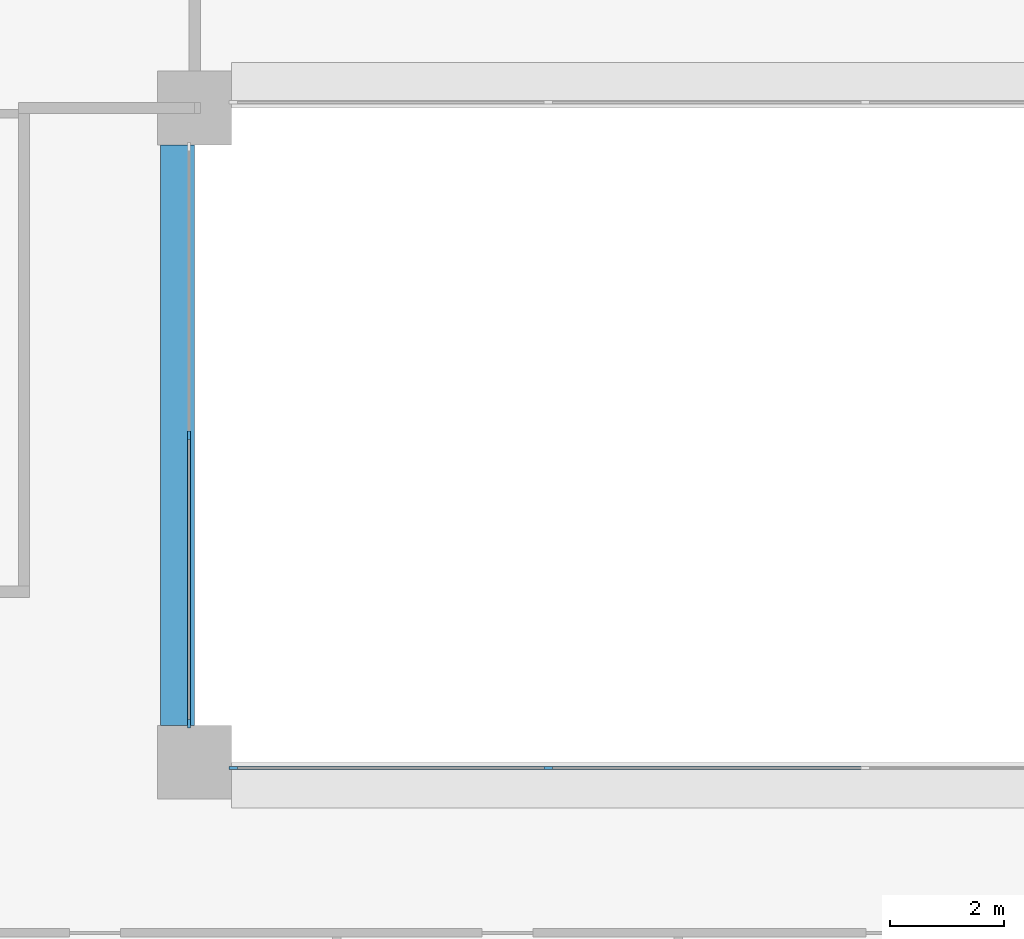
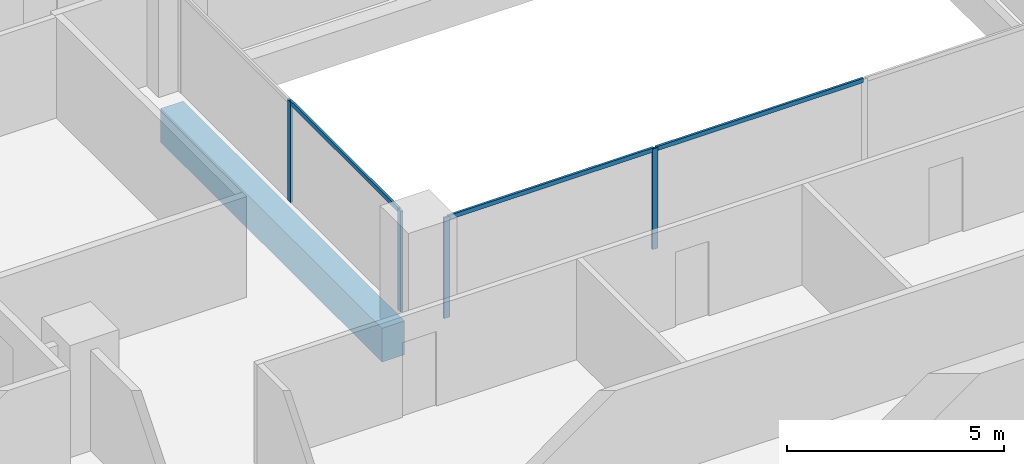
# One storey, part 2 of 16: 7 members, 1 beam, 2 elements without a shape of their own.
"""IFC4 building model written with IfcOpenShell, lengths in metres."""

import ifcopenshell
import ifcopenshell.guid

model = None  # the IFC model being written
_history = None  # IfcOwnerHistory: only IFC2X3 demands one
_inside = {}  # id of a spatial element -> (the spatial element, [elements in it])
_under = {}  # id of a project, library or spatial element -> (it, [spatial elements below it])
_declared = {}  # id of a project -> (the project, [libraries it declares])
_typed = {}  # id of a type object -> (the type object, [elements of that type])
_made_of = {}  # id of a material, layer set ... -> (it, [elements and type objects made of it])


def new_model(schema):
    """Start an empty IFC model of exactly this schema.

    Asked for "IFC4X3", IfcOpenShell would pick the latest addendum, in which some entities
    have other attributes; the version numbers below select the first issue.
    IFC2X3 requires an IfcOwnerHistory on every rooted entity: one is made here for all.
    """
    global model, _history
    if schema == "IFC4X3":
        model = ifcopenshell.file(schema_version=(4, 3, 0, 0))
    else:
        model = ifcopenshell.file(schema=schema)
    _inside.clear()
    _under.clear()
    _declared.clear()
    _typed.clear()
    _made_of.clear()
    _history = None
    if model.schema == "IFC2X3":
        org = make("IfcOrganization", Name="unknown")
        user = make(
            "IfcPersonAndOrganization",
            ThePerson=make("IfcPerson", FamilyName="unknown"),
            TheOrganization=org,
        )
        app = make(
            "IfcApplication",
            ApplicationDeveloper=org,
            Version="unknown",
            ApplicationFullName="unknown",
            ApplicationIdentifier="unknown",
        )
        _history = make(
            "IfcOwnerHistory",
            OwningUser=user,
            OwningApplication=app,
            ChangeAction="ADDED",
            CreationDate=0,
        )
    return model


def make(cls, **values):
    """One entity of the class cls with the attributes given. An attribute that is None is left unset."""
    return model.create_entity(
        cls, **{name: value for name, value in values.items() if value is not None}
    )


def rooted(cls, **values):
    """An entity with a GlobalId (a new one), such as an element, a storey or a relation."""
    return make(cls, GlobalId=ifcopenshell.guid.new(), OwnerHistory=_history, **values)


def si_unit(unit_type, name, prefix=None):
    """IfcSIUnit, for example si_unit("LENGTHUNIT", "METRE", prefix="MILLI")."""
    return make("IfcSIUnit", UnitType=unit_type, Prefix=prefix, Name=name)


def assignment(units):
    """IfcUnitAssignment: the units of a project."""
    return None if units is None else make("IfcUnitAssignment", Units=units)


def point(xyz):
    """IfcCartesianPoint."""
    return None if xyz is None else make("IfcCartesianPoint", Coordinates=xyz)


def direction(xyz):
    """IfcDirection."""
    return None if xyz is None else make("IfcDirection", DirectionRatios=xyz)


def frame(location, z_axis=None, x_axis=None):
    """IfcAxis2Placement3D, a coordinate frame: its origin and axes. An axis left out is left unset."""
    return make(
        "IfcAxis2Placement3D",
        Location=point(location),
        Axis=direction(z_axis),
        RefDirection=direction(x_axis),
    )


def frame_2d(location, x_axis=None):
    """IfcAxis2Placement2D, a coordinate frame in the plane: its origin and x axis."""
    return make(
        "IfcAxis2Placement2D", Location=point(location), RefDirection=direction(x_axis)
    )


def origin():
    """The frame at (0, 0, 0) with its axes left unset."""
    return frame((0.0, 0.0, 0.0))


def origin_2d():
    """The frame at (0, 0) in the plane with its x axis left unset."""
    return frame_2d((0.0, 0.0))


def place(relative_to, where):
    """IfcLocalPlacement: puts the frame where relative to a parent placement (None: the world)."""
    return make(
        "IfcLocalPlacement", PlacementRelTo=relative_to, RelativePlacement=where
    )


def context(
    kind, dimensions, precision=None, world=None, true_north=None, identifier=None
):
    """IfcGeometricRepresentationContext, for example the 3D "Model" context."""
    return make(
        "IfcGeometricRepresentationContext",
        ContextIdentifier=identifier,
        ContextType=kind,
        CoordinateSpaceDimension=dimensions,
        Precision=precision,
        WorldCoordinateSystem=world,
        TrueNorth=true_north,
    )


def subcontext(parent, identifier, kind, view, scale=None):
    """IfcGeometricRepresentationSubContext, for example "Body" below "Model"."""
    return make(
        "IfcGeometricRepresentationSubContext",
        ContextIdentifier=identifier,
        ContextType=kind,
        ParentContext=parent,
        TargetScale=scale,
        TargetView=view,
    )


def project(units=None, contexts=None):
    """IfcProject with its units and contexts."""
    return rooted(
        "IfcProject",
        Name="project",
        RepresentationContexts=contexts,
        UnitsInContext=assignment(units),
    )


def spatial(cls, under=None, at=None, **own):
    """A site, building, storey or space (cls), placed at a placement, below another one or the project."""
    s = rooted(cls, ObjectPlacement=at, **own)
    if under is not None:
        _under.setdefault(under.id(), (under, []))[1].append(s)
    return s


def profile(cls, at=None, kind="AREA", **sizes):
    """A parametric profile (cls). Its sizes go by their IFC names, for example OverallWidth=200.0."""
    return make(cls, ProfileType=kind, Position=at, **sizes)


def rectangle(**sizes):
    """IfcRectangleProfileDef."""
    return profile("IfcRectangleProfileDef", **sizes)


def extrude(swept, where, along, depth):
    """IfcExtrudedAreaSolid: the profile swept, set in the frame where, extruded along a direction by depth."""
    return make(
        "IfcExtrudedAreaSolid",
        SweptArea=swept,
        Position=where,
        ExtrudedDirection=direction(along),
        Depth=depth,
    )


def shape(context_of_items, identifier, shape_type, items):
    """IfcShapeRepresentation: the items that make up one representation, for example the "Body"."""
    return make(
        "IfcShapeRepresentation",
        ContextOfItems=context_of_items,
        RepresentationIdentifier=identifier,
        RepresentationType=shape_type,
        Items=items,
    )


def material(Name=None, Category=None):
    """IfcMaterial."""
    return make("IfcMaterial", Name=Name, Category=Category)


def layer(
    of_material, thickness, ventilated=None, Name=None, Category=None, Priority=None
):
    """IfcMaterialLayer: one layer of a wall or slab, of a material (None: an air gap)."""
    return make(
        "IfcMaterialLayer",
        Material=of_material,
        LayerThickness=thickness,
        IsVentilated=ventilated,
        Name=Name,
        Category=Category,
        Priority=Priority,
    )


def layer_set(layers, Name=None):
    """IfcMaterialLayerSet."""
    return make("IfcMaterialLayerSet", MaterialLayers=layers, LayerSetName=Name)


def material_profile(
    of_material, cross_section, Name=None, Category=None, Priority=None
):
    """IfcMaterialProfile: a cross section and its material."""
    return make(
        "IfcMaterialProfile",
        Name=Name,
        Material=of_material,
        Profile=cross_section,
        Priority=Priority,
        Category=Category,
    )


def profile_set(profiles, Name=None, composite=None):
    """IfcMaterialProfileSet."""
    return make(
        "IfcMaterialProfileSet",
        Name=Name,
        MaterialProfiles=profiles,
        CompositeProfile=composite,
    )


def made_of(thing, what):
    """Note that an element or type object is made of a material, layer set ...; save() writes the relation."""
    if what is not None:
        _made_of.setdefault(what.id(), (what, []))[1].append(thing)
    return thing


def type_object(cls, material=None, **own):
    """A type object (cls), such as IfcWallType, which elements share."""
    return made_of(rooted(cls, **own), material)


def element(
    cls,
    number,
    at=None,
    inside=None,
    cuts=None,
    type_object=None,
    material=None,
    context=None,
    identifier="Body",
    shape_type=None,
    held_by="IfcProductDefinitionShape",
    body=None,
    shapes=None,
    **own,
):
    """One element of the class cls, such as IfcWall. Its Tag is "e" and its number.

    at: its placement. inside: the storey or other place that contains it. cuts: it is an
    opening in that element (IfcRelVoidsElement). A single representation is given by context,
    identifier, shape_type and body (its items); several are given by shapes. held_by: the class
    of the entity that holds the representations. save() writes the other relations.
    """
    e = rooted(cls, Tag="e%d" % number, ObjectPlacement=at, **own)
    if body is not None:
        shapes = [shape(context, identifier, shape_type, body)]
    if shapes is not None:
        e.Representation = make(held_by, Representations=shapes)
    if inside is not None:
        _inside.setdefault(inside.id(), (inside, []))[1].append(e)
    if cuts is not None:
        rooted(
            "IfcRelVoidsElement", RelatingBuildingElement=cuts, RelatedOpeningElement=e
        )
    if type_object is not None:
        _typed.setdefault(type_object.id(), (type_object, []))[1].append(e)
    return made_of(e, material)


def aggregate(whole, parts):
    """IfcRelAggregates: a whole, such as a stair, and the parts it consists of."""
    return rooted("IfcRelAggregates", RelatingObject=whole, RelatedObjects=parts)


def save(model, path):
    """Write the relations noted so far, then the file.

    IfcRelAggregates (storeys below a building ...), IfcRelContainedInSpatialStructure (elements
    in a storey), IfcRelDefinesByType, IfcRelAssociatesMaterial and IfcRelDeclares: one each for
    every whole, place, type object, material and project.
    """
    for whole, parts in _under.values():
        aggregate(whole, parts)
    for where, things in _inside.values():
        rooted(
            "IfcRelContainedInSpatialStructure",
            RelatedElements=things,
            RelatingStructure=where,
        )
    for kind, things in _typed.values():
        rooted("IfcRelDefinesByType", RelatedObjects=things, RelatingType=kind)
    for what, things in _made_of.values():
        rooted("IfcRelAssociatesMaterial", RelatedObjects=things, RelatingMaterial=what)
    for by, libraries in _declared.values():
        rooted("IfcRelDeclares", RelatingContext=by, RelatedDefinitions=libraries)
    model.write(path)


model = new_model("IFC4")

# Units and contexts
model_context = context("Model", 3, precision=1e-05, world=origin(), true_north=direction((0.0, 1.0)))
body_context = subcontext(model_context, "Body", "Model", "MODEL_VIEW")
ifc_project = project(units=[si_unit("LENGTHUNIT", "METRE"), si_unit("AREAUNIT", "SQUARE_METRE"), si_unit("VOLUMEUNIT", "CUBIC_METRE"), si_unit("PLANEANGLEUNIT", "RADIAN"), si_unit("MASSUNIT", "GRAM", prefix="KILO")], contexts=[model_context])

# Site, building, storey
site_placement = place(None, origin())
site = spatial("IfcSite", under=ifc_project, at=site_placement, CompositionType="ELEMENT")
building_placement = place(site_placement, origin())
building = spatial("IfcBuilding", under=site, at=building_placement, Name="Brigalow Station Residences", CompositionType="ELEMENT")
storey_placement = place(building_placement, frame((0.0, 0.0, 115.050048828125)))
storey = spatial("IfcBuildingStorey", under=building, at=storey_placement, Name="L33", CompositionType="ELEMENT", Elevation=115.050048828125)

# Beam
ifc_material_1 = material(Name="Concrete C65", Category="concrete")
ifc_material_profile_1 = material_profile(ifc_material_1, rectangle(XDim=0.60009765625, YDim=0.949951171875, at=origin_2d()), Name="RC600x950")
ifc_profile_set_1 = profile_set([ifc_material_profile_1], Name="Concrete C65")
beam_type = type_object("IfcBeamType", Name="ATRIUM EDGE GIRDER 600x950 C65", PredefinedType="BEAM", material=ifc_profile_set_1)
beam_placement = place(storey_placement, frame((26.699951171875, 24.64990234375, -0.795166015625), z_axis=(0.0, 1.0, 0.0), x_axis=(-1.0, 0.0, 0.0)))
element("IfcBeam", 1, at=beam_placement, inside=storey, type_object=beam_type, Name="ATRIUM EDGE GIRDER 3 L33", PredefinedType="BEAM", context=body_context, shape_type="SweptSolid", body=[
    extrude(rectangle(XDim=0.60009765625, YDim=0.949951171875, at=origin_2d()), origin(), (0.0, 0.0, 1.0), 10.2001953125),
])

# Curtain wall, members
ifc_material_2 = material(Name="Aluminium", Category="aluminium")
ifc_layer = layer(ifc_material_2, 0.14990234375)
ifc_layer_set = layer_set([ifc_layer], Name="ATRIUM FIRE-RATED GLAZING CURTAIN WALL")
curtain_wall_type = type_object("IfcCurtainWallType", Name="ATRIUM FIRE-RATED GLAZING CURTAIN WALL", PredefinedType="NOTDEFINED", material=ifc_layer_set)
curtain_wall_1_placement = place(storey_placement, origin())
curtain_wall_1 = element("IfcCurtainWall", 2, at=curtain_wall_1_placement, inside=storey, type_object=curtain_wall_type, Name="L33/cw/atrium-S", PredefinedType="NOTDEFINED")
ifc_material_3 = material(Name="Aluminium", Category="aluminium")
ifc_material_profile_2 = material_profile(ifc_material_3, rectangle(XDim=0.06005859375, YDim=0.14990234375, at=origin_2d()), Name="ATRIUM FIRE-RATED GLAZING MULLION 60x150")
ifc_profile_set_2 = profile_set([ifc_material_profile_2], Name="Aluminium")
member_type_1 = type_object("IfcMemberType", Name="ATRIUM FIRE-RATED GLAZING MULLION 60x150", PredefinedType="MULLION", material=ifc_profile_set_2)
member_1_placement = place(storey_placement, frame((27.679931640625, 23.89990234375, 0.0), z_axis=(0.0, 0.0, 1.0), x_axis=(0.0, 1.0, 0.0)))
member_1 = element("IfcMember", 3, at=member_1_placement, type_object=member_type_1, Name="L33/cw/atrium-S/M00", PredefinedType="MULLION", context=body_context, shape_type="SweptSolid", body=[
    extrude(rectangle(XDim=0.06005859375, YDim=0.14990234375, at=origin_2d()), origin(), (0.0, 0.0, 1.0), 2.829833984375),
])
member_2_placement = place(storey_placement, frame((33.216796875, 23.89990234375, 0.0), z_axis=(0.0, 0.0, 1.0), x_axis=(0.0, 1.0, 0.0)))
member_2 = element("IfcMember", 4, at=member_2_placement, type_object=member_type_1, Name="L33/cw/atrium-S/M01", PredefinedType="MULLION", context=body_context, shape_type="SweptSolid", body=[
    extrude(rectangle(XDim=0.06005859375, YDim=0.14990234375, at=origin_2d()), origin(), (0.0, 0.0, 1.0), 2.829833984375),
])

curtain_wall_2_placement = place(storey_placement, origin())
curtain_wall_2 = element("IfcCurtainWall", 5, at=curtain_wall_2_placement, inside=storey, type_object=curtain_wall_type, Name="L33/cw/atrium-W", PredefinedType="NOTDEFINED")
member_3_placement = place(storey_placement, frame((26.89990234375, 29.75, 0.0), z_axis=(0.0, 0.0, 1.0), x_axis=(1.0, 0.0, 0.0)))
member_3 = element("IfcMember", 6, at=member_3_placement, type_object=member_type_1, Name="L33/cw/atrium-W/M01", PredefinedType="MULLION", context=body_context, shape_type="SweptSolid", body=[
    extrude(rectangle(XDim=0.06005859375, YDim=0.14990234375, at=origin_2d()), origin(), (0.0, 0.0, 1.0), 2.829833984375),
])
member_4_placement = place(storey_placement, frame((26.89990234375, 24.679931640625, 0.0), z_axis=(0.0, 0.0, 1.0), x_axis=(1.0, 0.0, 0.0)))
member_4 = element("IfcMember", 7, at=member_4_placement, type_object=member_type_1, Name="L33/cw/atrium-W/M02", PredefinedType="MULLION", context=body_context, shape_type="SweptSolid", body=[
    extrude(rectangle(XDim=0.06005859375, YDim=0.14990234375, at=origin_2d()), origin(), (0.0, 0.0, 1.0), 2.829833984375),
])

# Member
ifc_material_4 = material(Name="Aluminium", Category="aluminium")
ifc_material_profile_3 = material_profile(ifc_material_4, rectangle(XDim=0.06005859375, YDim=0.1201171875, at=origin_2d()), Name="ATRIUM FIRE-RATED GLAZING TRANSOM 60x120")
ifc_profile_set_3 = profile_set([ifc_material_profile_3], Name="Aluminium")
member_type_2 = type_object("IfcMemberType", Name="ATRIUM FIRE-RATED GLAZING TRANSOM 60x120", PredefinedType="USERDEFINED", material=ifc_profile_set_3)
member_5_placement = place(storey_placement, frame((27.7099609375, 23.89990234375, 2.800048828125), z_axis=(1.0, 0.0, 0.0), x_axis=(0.0, 1.0, 0.0)))
member_5 = element("IfcMember", 8, at=member_5_placement, type_object=member_type_2, Name="L33/cw/atrium-S/T00-00", ObjectType="TRANSOM", PredefinedType="USERDEFINED", context=body_context, shape_type="SweptSolid", body=[
    extrude(rectangle(XDim=0.06005859375, YDim=0.1201171875, at=origin_2d()), origin(), (0.0, 0.0, 1.0), 5.476806640625),
])

member_6_placement = place(storey_placement, frame((33.24658203125, 23.89990234375, 2.800048828125), z_axis=(1.0, 0.0, 0.0), x_axis=(0.0, 1.0, 0.0)))
member_6 = element("IfcMember", 9, at=member_6_placement, type_object=member_type_2, Name="L33/cw/atrium-S/T01-00", ObjectType="TRANSOM", PredefinedType="USERDEFINED", context=body_context, shape_type="SweptSolid", body=[
    extrude(rectangle(XDim=0.06005859375, YDim=0.1201171875, at=origin_2d()), origin(), (0.0, 0.0, 1.0), 5.5068359375),
])

aggregate(curtain_wall_1, [member_1, member_2, member_5, member_6])

member_7_placement = place(storey_placement, frame((26.89990234375, 29.719970703125, 2.800048828125), z_axis=(0.0, -1.0, 0.0), x_axis=(1.0, 0.0, 0.0)))
member_7 = element("IfcMember", 10, at=member_7_placement, type_object=member_type_2, Name="L33/cw/atrium-W/T01-00", ObjectType="TRANSOM", PredefinedType="USERDEFINED", context=body_context, shape_type="SweptSolid", body=[
    extrude(rectangle(XDim=0.06005859375, YDim=0.1201171875, at=origin_2d()), origin(), (0.0, 0.0, 1.0), 5.010009765625),
])

aggregate(curtain_wall_2, [member_3, member_4, member_7])

save(model, "model.ifc")
